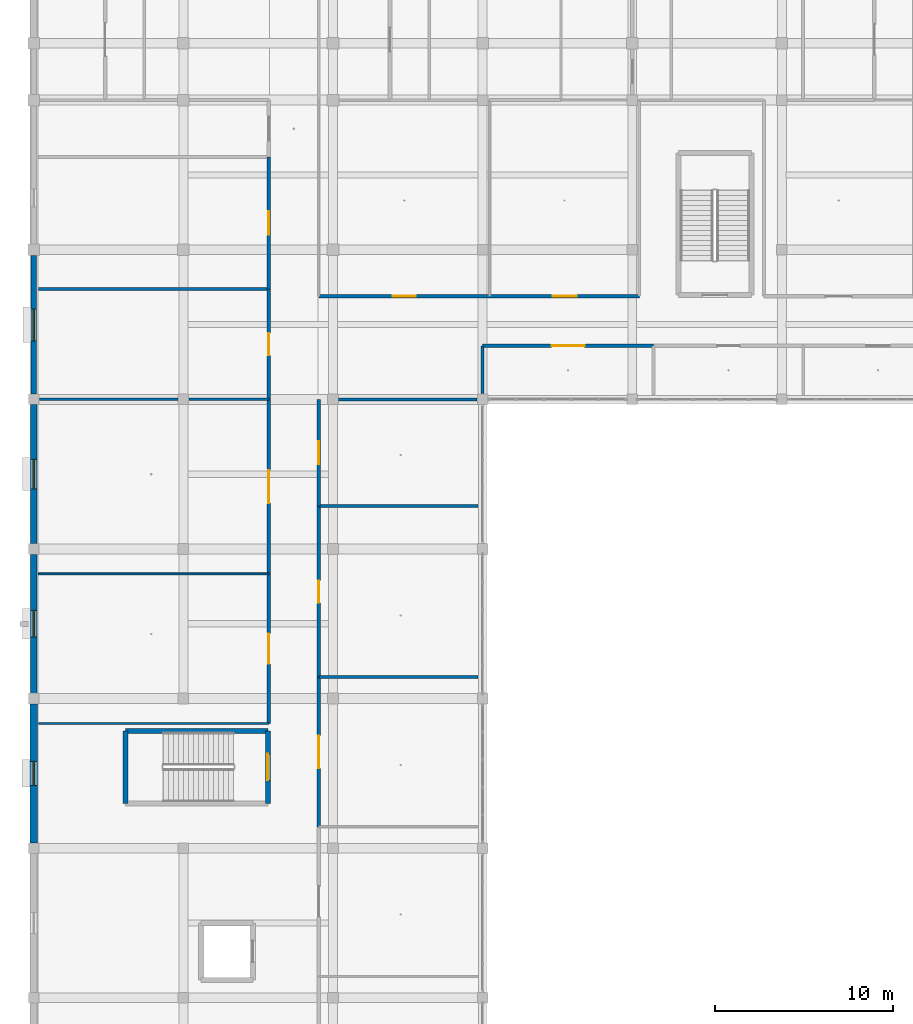
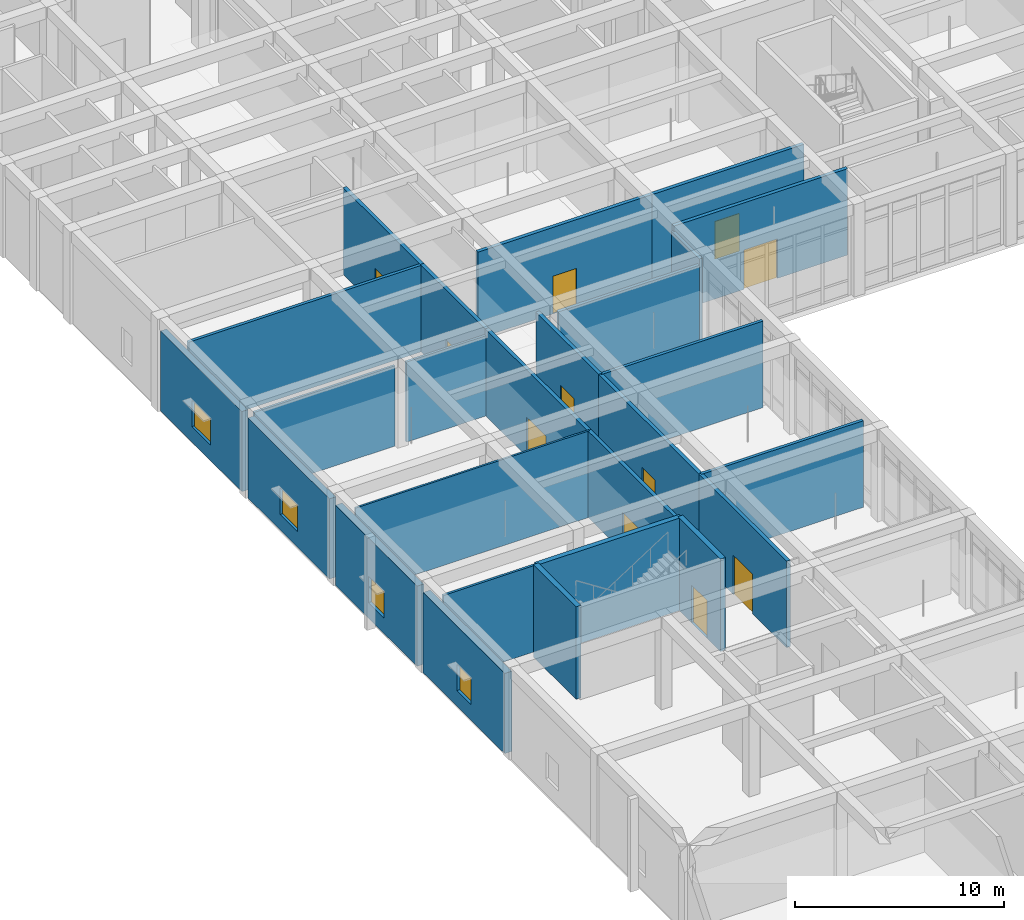
# One storey, part 79 of 157: 26 walls, 11 doors, 4 windows, 15 openings.
"""IFC4 building model written with IfcOpenShell, lengths in metres."""

import ifcopenshell
import ifcopenshell.guid

model = None  # the IFC model being written
_history = None  # IfcOwnerHistory: only IFC2X3 demands one
_inside = {}  # id of a spatial element -> (the spatial element, [elements in it])
_under = {}  # id of a project, library or spatial element -> (it, [spatial elements below it])
_declared = {}  # id of a project -> (the project, [libraries it declares])
_typed = {}  # id of a type object -> (the type object, [elements of that type])
_made_of = {}  # id of a material, layer set ... -> (it, [elements and type objects made of it])


def new_model(schema):
    """Start an empty IFC model of exactly this schema.

    Asked for "IFC4X3", IfcOpenShell would pick the latest addendum, in which some entities
    have other attributes; the version numbers below select the first issue.
    IFC2X3 requires an IfcOwnerHistory on every rooted entity: one is made here for all.
    """
    global model, _history
    if schema == "IFC4X3":
        model = ifcopenshell.file(schema_version=(4, 3, 0, 0))
    else:
        model = ifcopenshell.file(schema=schema)
    _inside.clear()
    _under.clear()
    _declared.clear()
    _typed.clear()
    _made_of.clear()
    _history = None
    if model.schema == "IFC2X3":
        org = make("IfcOrganization", Name="unknown")
        user = make(
            "IfcPersonAndOrganization",
            ThePerson=make("IfcPerson", FamilyName="unknown"),
            TheOrganization=org,
        )
        app = make(
            "IfcApplication",
            ApplicationDeveloper=org,
            Version="unknown",
            ApplicationFullName="unknown",
            ApplicationIdentifier="unknown",
        )
        _history = make(
            "IfcOwnerHistory",
            OwningUser=user,
            OwningApplication=app,
            ChangeAction="ADDED",
            CreationDate=0,
        )
    return model


def make(cls, **values):
    """One entity of the class cls with the attributes given. An attribute that is None is left unset."""
    return model.create_entity(
        cls, **{name: value for name, value in values.items() if value is not None}
    )


def rooted(cls, **values):
    """An entity with a GlobalId (a new one), such as an element, a storey or a relation."""
    return make(cls, GlobalId=ifcopenshell.guid.new(), OwnerHistory=_history, **values)


def si_unit(unit_type, name, prefix=None):
    """IfcSIUnit, for example si_unit("LENGTHUNIT", "METRE", prefix="MILLI")."""
    return make("IfcSIUnit", UnitType=unit_type, Prefix=prefix, Name=name)


def assignment(units):
    """IfcUnitAssignment: the units of a project."""
    return None if units is None else make("IfcUnitAssignment", Units=units)


def point(xyz):
    """IfcCartesianPoint."""
    return None if xyz is None else make("IfcCartesianPoint", Coordinates=xyz)


def direction(xyz):
    """IfcDirection."""
    return None if xyz is None else make("IfcDirection", DirectionRatios=xyz)


def frame(location, z_axis=None, x_axis=None):
    """IfcAxis2Placement3D, a coordinate frame: its origin and axes. An axis left out is left unset."""
    return make(
        "IfcAxis2Placement3D",
        Location=point(location),
        Axis=direction(z_axis),
        RefDirection=direction(x_axis),
    )


def frame_2d(location, x_axis=None):
    """IfcAxis2Placement2D, a coordinate frame in the plane: its origin and x axis."""
    return make(
        "IfcAxis2Placement2D", Location=point(location), RefDirection=direction(x_axis)
    )


def origin():
    """The frame at (0, 0, 0) with its axes left unset."""
    return frame((0.0, 0.0, 0.0))


def place(relative_to, where):
    """IfcLocalPlacement: puts the frame where relative to a parent placement (None: the world)."""
    return make(
        "IfcLocalPlacement", PlacementRelTo=relative_to, RelativePlacement=where
    )


def context(
    kind, dimensions, precision=None, world=None, true_north=None, identifier=None
):
    """IfcGeometricRepresentationContext, for example the 3D "Model" context."""
    return make(
        "IfcGeometricRepresentationContext",
        ContextIdentifier=identifier,
        ContextType=kind,
        CoordinateSpaceDimension=dimensions,
        Precision=precision,
        WorldCoordinateSystem=world,
        TrueNorth=true_north,
    )


def subcontext(parent, identifier, kind, view, scale=None):
    """IfcGeometricRepresentationSubContext, for example "Body" below "Model"."""
    return make(
        "IfcGeometricRepresentationSubContext",
        ContextIdentifier=identifier,
        ContextType=kind,
        ParentContext=parent,
        TargetScale=scale,
        TargetView=view,
    )


def project(units=None, contexts=None):
    """IfcProject with its units and contexts."""
    return rooted(
        "IfcProject",
        Name="project",
        RepresentationContexts=contexts,
        UnitsInContext=assignment(units),
    )


def spatial(cls, under=None, at=None, **own):
    """A site, building, storey or space (cls), placed at a placement, below another one or the project."""
    s = rooted(cls, ObjectPlacement=at, **own)
    if under is not None:
        _under.setdefault(under.id(), (under, []))[1].append(s)
    return s


def profile(cls, at=None, kind="AREA", **sizes):
    """A parametric profile (cls). Its sizes go by their IFC names, for example OverallWidth=200.0."""
    return make(cls, ProfileType=kind, Position=at, **sizes)


def rectangle(**sizes):
    """IfcRectangleProfileDef."""
    return profile("IfcRectangleProfileDef", **sizes)


def extrude(swept, where, along, depth):
    """IfcExtrudedAreaSolid: the profile swept, set in the frame where, extruded along a direction by depth."""
    return make(
        "IfcExtrudedAreaSolid",
        SweptArea=swept,
        Position=where,
        ExtrudedDirection=direction(along),
        Depth=depth,
    )


def shape(context_of_items, identifier, shape_type, items):
    """IfcShapeRepresentation: the items that make up one representation, for example the "Body"."""
    return make(
        "IfcShapeRepresentation",
        ContextOfItems=context_of_items,
        RepresentationIdentifier=identifier,
        RepresentationType=shape_type,
        Items=items,
    )


def material(Name=None, Category=None):
    """IfcMaterial."""
    return make("IfcMaterial", Name=Name, Category=Category)


def layer(
    of_material, thickness, ventilated=None, Name=None, Category=None, Priority=None
):
    """IfcMaterialLayer: one layer of a wall or slab, of a material (None: an air gap)."""
    return make(
        "IfcMaterialLayer",
        Material=of_material,
        LayerThickness=thickness,
        IsVentilated=ventilated,
        Name=Name,
        Category=Category,
        Priority=Priority,
    )


def layer_set(layers, Name=None):
    """IfcMaterialLayerSet."""
    return make("IfcMaterialLayerSet", MaterialLayers=layers, LayerSetName=Name)


def made_of(thing, what):
    """Note that an element or type object is made of a material, layer set ...; save() writes the relation."""
    if what is not None:
        _made_of.setdefault(what.id(), (what, []))[1].append(thing)
    return thing


def type_object(cls, material=None, **own):
    """A type object (cls), such as IfcWallType, which elements share."""
    return made_of(rooted(cls, **own), material)


def element(
    cls,
    number,
    at=None,
    inside=None,
    cuts=None,
    type_object=None,
    material=None,
    context=None,
    identifier="Body",
    shape_type=None,
    held_by="IfcProductDefinitionShape",
    body=None,
    shapes=None,
    **own,
):
    """One element of the class cls, such as IfcWall. Its Tag is "e" and its number.

    at: its placement. inside: the storey or other place that contains it. cuts: it is an
    opening in that element (IfcRelVoidsElement). A single representation is given by context,
    identifier, shape_type and body (its items); several are given by shapes. held_by: the class
    of the entity that holds the representations. save() writes the other relations.
    """
    e = rooted(cls, Tag="e%d" % number, ObjectPlacement=at, **own)
    if body is not None:
        shapes = [shape(context, identifier, shape_type, body)]
    if shapes is not None:
        e.Representation = make(held_by, Representations=shapes)
    if inside is not None:
        _inside.setdefault(inside.id(), (inside, []))[1].append(e)
    if cuts is not None:
        rooted(
            "IfcRelVoidsElement", RelatingBuildingElement=cuts, RelatedOpeningElement=e
        )
    if type_object is not None:
        _typed.setdefault(type_object.id(), (type_object, []))[1].append(e)
    return made_of(e, material)


def fill(opening, filler):
    """IfcRelFillsElement: the door or window that sits in an opening."""
    return rooted(
        "IfcRelFillsElement",
        RelatingOpeningElement=opening,
        RelatedBuildingElement=filler,
    )


def aggregate(whole, parts):
    """IfcRelAggregates: a whole, such as a stair, and the parts it consists of."""
    return rooted("IfcRelAggregates", RelatingObject=whole, RelatedObjects=parts)


def save(model, path):
    """Write the relations noted so far, then the file.

    IfcRelAggregates (storeys below a building ...), IfcRelContainedInSpatialStructure (elements
    in a storey), IfcRelDefinesByType, IfcRelAssociatesMaterial and IfcRelDeclares: one each for
    every whole, place, type object, material and project.
    """
    for whole, parts in _under.values():
        aggregate(whole, parts)
    for where, things in _inside.values():
        rooted(
            "IfcRelContainedInSpatialStructure",
            RelatedElements=things,
            RelatingStructure=where,
        )
    for kind, things in _typed.values():
        rooted("IfcRelDefinesByType", RelatedObjects=things, RelatingType=kind)
    for what, things in _made_of.values():
        rooted("IfcRelAssociatesMaterial", RelatedObjects=things, RelatingMaterial=what)
    for by, libraries in _declared.values():
        rooted("IfcRelDeclares", RelatingContext=by, RelatedDefinitions=libraries)
    model.write(path)


model = new_model("IFC4")

# Units and contexts
model_context = context("Model", 3, precision=1e-05, world=origin(), true_north=direction((0.0, 1.0)))
body_context = subcontext(model_context, "Body", "Model", "MODEL_VIEW")
ifc_project = project(units=[si_unit("LENGTHUNIT", "METRE"), si_unit("AREAUNIT", "SQUARE_METRE"), si_unit("VOLUMEUNIT", "CUBIC_METRE"), si_unit("PLANEANGLEUNIT", "RADIAN"), si_unit("MASSUNIT", "GRAM", prefix="KILO")], contexts=[model_context])

# Site, building, storey
site_placement = place(None, origin())
site = spatial("IfcSite", under=ifc_project, at=site_placement, CompositionType="ELEMENT")
building_placement = place(site_placement, origin())
building = spatial("IfcBuilding", under=site, at=building_placement, Name="Varncliffe General Hospital", CompositionType="ELEMENT")
storey_placement = place(building_placement, frame((0.0, 0.0, 5.39990234375)))
storey = spatial("IfcBuildingStorey", under=building, at=storey_placement, Name="L01", CompositionType="ELEMENT", Elevation=5.39990234375)

# Wall, opening, window
ifc_material_1 = material(Name="Precast concrete C40/50 with insulated cream lime-cement stucco", Category="concrete")
ifc_layer_1 = layer(ifc_material_1, 0.3798828125)
ifc_layer_set_1 = layer_set([ifc_layer_1], Name="Precast concrete C40/50 with insulated cream lime-cement stucco")
wall_type_1 = type_object("IfcWallType", Name="Exterior Insulated Stucco Wall EW26 (380mm)", PredefinedType="SOLIDWALL", material=ifc_layer_set_1)
wall_1_placement = place(storey_placement, frame((0.0, 66.298095703125, 0.0), z_axis=(0.0, 0.0, 1.0), x_axis=(0.0, 1.0, 0.0)))
wall_1 = element("IfcWall", 1, at=wall_1_placement, inside=storey, type_object=wall_type_1, Name="L01 Exterior Stucco Wall EW26-105", PredefinedType="SOLIDWALL", context=body_context, shape_type="SweptSolid", body=[
    extrude(rectangle(XDim=7.803955078125, YDim=0.3798828125, at=frame_2d((3.90185546875, 0.0))), origin(), (0.0, 0.0, 1.0), 4.68017578125),
])
opening_1_placement = place(wall_1_placement, frame((3.152099609375, 0.0, 0.89990234375)))
opening_1 = element("IfcOpeningElement", 2, at=opening_1_placement, cuts=wall_1, Name="Opening WN75", PredefinedType="OPENING", context=body_context, shape_type="SweptSolid", body=[
    extrude(rectangle(XDim=1.5, YDim=1.550048828125, at=frame_2d((0.75, 0.77490234375))), frame((0.0, 0.199951171875, 0.0), z_axis=(0.0, -1.0, 0.0), x_axis=(1.0, 0.0, 0.0)), (0.0, 0.0, 1.0), 0.39990234375),
])
ifc_material_2 = material(Name="Triple low-E argon insulated vision glazing", Category="glass")
window_type_1 = type_object("IfcWindowType", Name="Triple-Glazed Hospital Window WN75 (1500x1550)", PartitioningType="SINGLE_PANEL", PredefinedType="WINDOW", material=ifc_material_2)
window_1_placement = place(opening_1_placement, origin())
window_1 = element("IfcWindow", 3, at=window_1_placement, inside=storey, type_object=window_type_1, Name="L01 Hospital Window WN75-56", OverallHeight=1.550048828125, OverallWidth=1.5, PartitioningType="SINGLE_PANEL", PredefinedType="WINDOW", context=body_context, shape_type="SweptSolid", body=[
    extrude(rectangle(XDim=1.5, YDim=1.550048828125, at=frame_2d((0.75, 0.77490234375))), frame((0.0, 0.030029296875, 0.0), z_axis=(0.0, -1.0, 0.0), x_axis=(1.0, 0.0, 0.0)), (0.0, 0.0, 1.0), 0.06005859375),
])
fill(opening_1, window_1)

ifc_layer_2 = layer(ifc_material_1, 0.330078125)
ifc_layer_set_2 = layer_set([ifc_layer_2], Name="Precast concrete C40/50 with insulated cream lime-cement stucco")
wall_type_2 = type_object("IfcWallType", Name="Exterior Insulated Stucco Wall EW33 (330mm)", PredefinedType="SOLIDWALL", material=ifc_layer_set_2)
wall_2_placement = place(storey_placement, frame((0.0, 83.097900390625, 0.0), z_axis=(0.0, 0.0, 1.0), x_axis=(0.0, 1.0, 0.0)))
wall_2 = element("IfcWall", 4, at=wall_2_placement, inside=storey, type_object=wall_type_2, Name="L01 Exterior Stucco Wall EW33-107", PredefinedType="SOLIDWALL", context=body_context, shape_type="SweptSolid", body=[
    extrude(rectangle(XDim=7.779052734375, YDim=0.330078125, at=frame_2d((3.8896484375, 0.0))), origin(), (0.0, 0.0, 1.0), 4.68017578125),
])
opening_2_placement = place(wall_2_placement, frame((2.989501953125, 0.0, 0.89990234375)))
opening_2 = element("IfcOpeningElement", 5, at=opening_2_placement, cuts=wall_2, Name="Opening WN52", PredefinedType="OPENING", context=body_context, shape_type="SweptSolid", body=[
    extrude(rectangle(XDim=1.800048828125, YDim=1.550048828125, at=frame_2d((0.89990234375, 0.77490234375))), frame((0.0, 0.175048828125, 0.0), z_axis=(0.0, -1.0, 0.0), x_axis=(1.0, 0.0, 0.0)), (0.0, 0.0, 1.0), 0.35009765625),
])
window_type_2 = type_object("IfcWindowType", Name="Triple-Glazed Hospital Window WN52 (1800x1550)", PartitioningType="DOUBLE_PANEL_VERTICAL", PredefinedType="WINDOW", material=ifc_material_2)
window_2_placement = place(opening_2_placement, origin())
window_2 = element("IfcWindow", 6, at=window_2_placement, inside=storey, type_object=window_type_2, Name="L01 Hospital Window WN52-58", OverallHeight=1.550048828125, OverallWidth=1.800048828125, PartitioningType="DOUBLE_PANEL_VERTICAL", PredefinedType="WINDOW", context=body_context, shape_type="SweptSolid", body=[
    extrude(rectangle(XDim=1.800048828125, YDim=1.550048828125, at=frame_2d((0.89990234375, 0.77490234375))), frame((0.0, 0.030029296875, 0.0), z_axis=(0.0, -1.0, 0.0), x_axis=(1.0, 0.0, 0.0)), (0.0, 0.0, 1.0), 0.06005859375),
])
fill(opening_2, window_2)

ifc_layer_3 = layer(ifc_material_1, 0.35009765625)
ifc_layer_set_3 = layer_set([ifc_layer_3], Name="Precast concrete C40/50 with insulated cream lime-cement stucco")
wall_type_3 = type_object("IfcWallType", Name="Exterior Insulated Stucco Wall EW37 (350mm)", PredefinedType="SOLIDWALL", material=ifc_layer_set_3)
wall_3_placement = place(storey_placement, frame((0.0, 74.697998046875, 0.0), z_axis=(0.0, 0.0, 1.0), x_axis=(0.0, 1.0, 0.0)))
wall_3 = element("IfcWall", 7, at=wall_3_placement, inside=storey, type_object=wall_type_3, Name="L01 Exterior Stucco Wall EW37-106", PredefinedType="SOLIDWALL", context=body_context, shape_type="SweptSolid", body=[
    extrude(rectangle(XDim=7.803955078125, YDim=0.35009765625, at=frame_2d((3.90185546875, 0.0))), origin(), (0.0, 0.0, 1.0), 4.68017578125),
])
opening_3_placement = place(wall_3_placement, frame((3.076904296875, 0.0, 0.89990234375)))
opening_3 = element("IfcOpeningElement", 8, at=opening_3_placement, cuts=wall_3, Name="Opening WN20", PredefinedType="OPENING", context=body_context, shape_type="SweptSolid", body=[
    extrude(rectangle(XDim=1.64990234375, YDim=1.550048828125, at=frame_2d((0.824951171875, 0.77490234375))), frame((0.0, 0.18505859375, 0.0), z_axis=(0.0, -1.0, 0.0), x_axis=(1.0, 0.0, 0.0)), (0.0, 0.0, 1.0), 0.3701171875),
])
window_type_3 = type_object("IfcWindowType", Name="Triple-Glazed Hospital Window WN20 (1650x1550)", PartitioningType="DOUBLE_PANEL_VERTICAL", PredefinedType="WINDOW", material=ifc_material_2)
window_3_placement = place(opening_3_placement, origin())
window_3 = element("IfcWindow", 9, at=window_3_placement, inside=storey, type_object=window_type_3, Name="L01 Hospital Window WN20-57", OverallHeight=1.550048828125, OverallWidth=1.64990234375, PartitioningType="DOUBLE_PANEL_VERTICAL", PredefinedType="WINDOW", context=body_context, shape_type="SweptSolid", body=[
    extrude(rectangle(XDim=1.64990234375, YDim=1.550048828125, at=frame_2d((0.824951171875, 0.77490234375))), frame((0.0, 0.030029296875, 0.0), z_axis=(0.0, -1.0, 0.0), x_axis=(1.0, 0.0, 0.0)), (0.0, 0.0, 1.0), 0.06005859375),
])
fill(opening_3, window_3)

ifc_layer_4 = layer(ifc_material_1, 0.39990234375)
ifc_layer_set_4 = layer_set([ifc_layer_4], Name="Precast concrete C40/50 with insulated cream lime-cement stucco")
wall_type_4 = type_object("IfcWallType", Name="Exterior Insulated Stucco Wall EW47 (400mm)", PredefinedType="SOLIDWALL", material=ifc_layer_set_4)
wall_4_placement = place(storey_placement, frame((0.0, 57.89794921875, 0.0), z_axis=(0.0, 0.0, 1.0), x_axis=(0.0, 1.0, 0.0)))
wall_4 = element("IfcWall", 10, at=wall_4_placement, inside=storey, type_object=wall_type_4, Name="L01 Exterior Stucco Wall EW47-104", PredefinedType="SOLIDWALL", context=body_context, shape_type="SweptSolid", body=[
    extrude(rectangle(XDim=7.803955078125, YDim=0.39990234375, at=frame_2d((3.90185546875, 0.0))), origin(), (0.0, 0.0, 1.0), 4.68017578125),
])
opening_4_placement = place(wall_4_placement, frame((3.22705078125, 0.0, 0.89990234375)))
opening_4 = element("IfcOpeningElement", 11, at=opening_4_placement, cuts=wall_4, Name="Opening WN24", PredefinedType="OPENING", context=body_context, shape_type="SweptSolid", body=[
    extrude(rectangle(XDim=1.35009765625, YDim=1.550048828125, at=frame_2d((0.675048828125, 0.77490234375))), frame((0.0, 0.2099609375, 0.0), z_axis=(0.0, -1.0, 0.0), x_axis=(1.0, 0.0, 0.0)), (0.0, 0.0, 1.0), 0.419921875),
])
window_type_4 = type_object("IfcWindowType", Name="Triple-Glazed Hospital Window WN24 (1350x1550)", PartitioningType="SINGLE_PANEL", PredefinedType="WINDOW", material=ifc_material_2)
window_4_placement = place(opening_4_placement, origin())
window_4 = element("IfcWindow", 12, at=window_4_placement, inside=storey, type_object=window_type_4, Name="L01 Hospital Window WN24-55", OverallHeight=1.550048828125, OverallWidth=1.35009765625, PartitioningType="SINGLE_PANEL", PredefinedType="WINDOW", context=body_context, shape_type="SweptSolid", body=[
    extrude(rectangle(XDim=1.35009765625, YDim=1.550048828125, at=frame_2d((0.675048828125, 0.77490234375))), frame((0.0, 0.030029296875, 0.0), z_axis=(0.0, -1.0, 0.0), x_axis=(1.0, 0.0, 0.0)), (0.0, 0.0, 1.0), 0.06005859375),
])
fill(opening_4, window_4)

# Walls
ifc_material_3 = material(Name="Acoustic clinical gypsum stud partition assembly", Category="gypsum")
ifc_layer_5 = layer(ifc_material_3, 0.1298828125)
ifc_layer_set_5 = layer_set([ifc_layer_5], Name="Acoustic clinical gypsum stud partition assembly")
wall_type_5 = type_object("IfcWallType", Name="Interior Partitioning IW11 (130mm)", PredefinedType="PARTITIONING", material=ifc_layer_set_5)
wall_5_placement = place(storey_placement, frame((0.260009765625, 64.60009765625, 0.0), z_axis=(0.0, 0.0, 1.0), x_axis=(1.0, 0.0, 0.0)))
element("IfcWall", 13, at=wall_5_placement, inside=storey, type_object=wall_type_5, Name="L01 Interior Partition Wall IW11-478", PredefinedType="PARTITIONING", context=body_context, shape_type="SweptSolid", body=[
    extrude(rectangle(XDim=12.93994140625, YDim=0.1298828125, at=frame_2d((6.469970703125, 0.0))), origin(), (0.0, 0.0, 1.0), 5.050048828125),
])
wall_6_placement = place(storey_placement, frame((0.31494140625, 82.800048828125, 0.0), z_axis=(0.0, 0.0, 1.0), x_axis=(1.0, 0.0, 0.0)))
element("IfcWall", 14, at=wall_6_placement, inside=storey, type_object=wall_type_5, Name="L01 Interior Partition Wall IW11-503", PredefinedType="PARTITIONING", context=body_context, shape_type="SweptSolid", body=[
    extrude(rectangle(XDim=7.77001953125, YDim=0.1298828125, at=frame_2d((3.885009765625, 0.0))), origin(), (0.0, 0.0, 1.0), 4.68505859375),
])
wall_7_placement = place(storey_placement, frame((8.715087890625, 82.800048828125, 0.0), z_axis=(0.0, 0.0, 1.0), x_axis=(1.0, 0.0, 0.0)))
element("IfcWall", 15, at=wall_7_placement, inside=storey, type_object=wall_type_5, Name="L01 Interior Partition Wall IW11-504", PredefinedType="PARTITIONING", context=body_context, shape_type="SweptSolid", body=[
    extrude(rectangle(XDim=4.48486328125, YDim=0.1298828125, at=frame_2d((2.242431640625, 0.0))), origin(), (0.0, 0.0, 1.0), 4.68505859375),
])
ifc_layer_6 = layer(ifc_material_3, 0.169921875)
ifc_layer_set_6 = layer_set([ifc_layer_6], Name="Acoustic clinical gypsum stud partition assembly")
wall_type_6 = type_object("IfcWallType", Name="Interior Partitioning IW20 (170mm)", PredefinedType="PARTITIONING", material=ifc_layer_set_6)
for number, where, z_axis, x_axis, name in (
    (16, (16.0, 67.199951171875, 0.0), (0.0, 0.0, 1.0), (1.0, 0.0, 0.0), "L01 Interior Partition Wall IW20-480"),
    (17, (16.0, 76.800048828125, 0.0), (0.0, 0.0, 1.0), (1.0, 0.0, 0.0), "L01 Interior Partition Wall IW20-500"),
):
    element("IfcWall", number, at=place(storey_placement, frame(where, z_axis=z_axis, x_axis=x_axis)), inside=storey, type_object=wall_type_6, Name=name, PredefinedType="PARTITIONING", context=body_context, shape_type="SweptSolid", body=[
        extrude(rectangle(XDim=8.93994140625, YDim=0.169921875, at=frame_2d((4.469970703125, 0.0))), origin(), (0.0, 0.0, 1.0), 5.050048828125),
    ])
wall_8_placement = place(storey_placement, frame((17.114990234375, 82.800048828125, 0.0), z_axis=(0.0, 0.0, 1.0), x_axis=(1.0, 0.0, 0.0)))
element("IfcWall", 18, at=wall_8_placement, inside=storey, type_object=wall_type_6, Name="L01 Interior Partition Wall IW20-505", PredefinedType="PARTITIONING", context=body_context, shape_type="SweptSolid", body=[
    extrude(rectangle(XDim=7.77001953125, YDim=0.169921875, at=frame_2d((3.885009765625, 0.0))), origin(), (0.0, 0.0, 1.0), 4.68505859375),
])
wall_9_placement = place(storey_placement, frame((0.260009765625, 89.0, 0.0), z_axis=(0.0, 0.0, 1.0), x_axis=(1.0, 0.0, 0.0)))
element("IfcWall", 19, at=wall_9_placement, inside=storey, type_object=wall_type_6, Name="L01 Interior Partition Wall IW20-540", PredefinedType="PARTITIONING", context=body_context, shape_type="SweptSolid", body=[
    extrude(rectangle(XDim=12.93994140625, YDim=0.169921875, at=frame_2d((6.469970703125, 0.0))), origin(), (0.0, 0.0, 1.0), 5.050048828125),
])
wall_10_placement = place(storey_placement, frame((25.199951171875, 83.114990234375, 0.0), z_axis=(0.0, 0.0, 1.0), x_axis=(0.0, 1.0, 0.0)))
element("IfcWall", 20, at=wall_10_placement, inside=storey, type_object=wall_type_6, Name="L01 Interior Partition Wall IW20-705", PredefinedType="PARTITIONING", context=body_context, shape_type="SweptSolid", body=[
    extrude(rectangle(XDim=2.68505859375, YDim=0.169921875, at=frame_2d((1.342529296875, 0.0))), origin(), (0.0, 0.0, 1.0), 4.735107421875),
])
ifc_layer_7 = layer(ifc_material_3, 0.110107421875)
ifc_layer_set_7 = layer_set([ifc_layer_7], Name="Acoustic clinical gypsum stud partition assembly")
wall_type_7 = type_object("IfcWallType", Name="Interior Partitioning IW65 (110mm)", PredefinedType="PARTITIONING", material=ifc_layer_set_7)
wall_11_placement = place(storey_placement, frame((0.260009765625, 73.0, 0.0), z_axis=(0.0, 0.0, 1.0), x_axis=(1.0, 0.0, 0.0)))
element("IfcWall", 21, at=wall_11_placement, inside=storey, type_object=wall_type_7, Name="L01 Interior Partition Wall IW65-482", PredefinedType="PARTITIONING", context=body_context, shape_type="SweptSolid", body=[
    extrude(rectangle(XDim=12.93994140625, YDim=0.110107421875, at=frame_2d((6.469970703125, 0.0))), origin(), (0.0, 0.0, 1.0), 5.050048828125),
])

# Wall, opening, door
ifc_material_4 = material(Name="Fire-rated gypsum and mineral-wool partition assembly", Category="gypsum")
ifc_layer_8 = layer(ifc_material_4, 0.199951171875)
ifc_layer_set_8 = layer_set([ifc_layer_8], Name="Fire-rated gypsum and mineral-wool partition assembly")
wall_type_8 = type_object("IfcWallType", Name="Interior Partitioning PW63 (200mm)", PredefinedType="PARTITIONING", material=ifc_layer_set_8)
wall_12_placement = place(storey_placement, frame((25.199951171875, 85.800048828125, 0.0), z_axis=(0.0, 0.0, 1.0), x_axis=(1.0, 0.0, 0.0)))
wall_12 = element("IfcWall", 22, at=wall_12_placement, inside=storey, type_object=wall_type_8, Name="L01 Interior Partition Wall PW63-509", PredefinedType="PARTITIONING", context=body_context, shape_type="SweptSolid", body=[
    extrude(rectangle(XDim=9.60009765625, YDim=0.199951171875, at=frame_2d((4.800048828125, 0.0))), origin(), (0.0, 0.0, 1.0), 5.050048828125),
])
opening_5_placement = place(wall_12_placement, frame((3.875, 0.0, 0.0)))
opening_5 = element("IfcOpeningElement", 23, at=opening_5_placement, cuts=wall_12, Name="Opening DC38", PredefinedType="OPENING", context=body_context, shape_type="SweptSolid", body=[
    extrude(rectangle(XDim=1.85009765625, YDim=2.300048828125, at=frame_2d((0.925048828125, 1.14990234375))), frame((0.0, 0.10986328125, 0.0), z_axis=(0.0, -1.0, 0.0), x_axis=(1.0, 0.0, 0.0)), (0.0, 0.0, 1.0), 0.219970703125),
])
ifc_material_5 = material(Name="Fire-rated hospital steel-frame vision-panel door", Category="steel")
door_type_1 = type_object("IfcDoorType", Name="Interior Hospital Door DC38 (1850x2300)", OperationType="NOTDEFINED", PredefinedType="DOOR", material=ifc_material_5)
door_1_placement = place(opening_5_placement, frame((1.85009765625, 0.0, 0.0), z_axis=(0.0, 0.0, 1.0), x_axis=(-1.0, 0.0, 0.0)))
door_1 = element("IfcDoor", 24, at=door_1_placement, inside=storey, type_object=door_type_1, Name="L01 Clinical Pathology Laboratory 69 Door", OperationType="SINGLE_SWING_LEFT", OverallHeight=2.300048828125, OverallWidth=1.85009765625, PredefinedType="DOOR", context=body_context, shape_type="SweptSolid", body=[
    extrude(rectangle(XDim=1.85009765625, YDim=2.300048828125, at=frame_2d((0.925048828125, 1.14990234375))), frame((0.0, 0.02490234375, 0.0), z_axis=(0.0, -1.0, 0.0), x_axis=(1.0, 0.0, 0.0)), (0.0, 0.0, 1.0), 0.050048828125),
])
fill(opening_5, door_1)

wall_13_placement = place(storey_placement, frame((16.0, 88.60009765625, 0.0), z_axis=(0.0, 0.0, 1.0), x_axis=(1.0, 0.0, 0.0)))
wall_13 = element("IfcWall", 25, at=wall_13_placement, inside=storey, type_object=wall_type_8, Name="L01 Interior Partition Wall PW63-527", PredefinedType="PARTITIONING", context=body_context, shape_type="SweptSolid", body=[
    extrude(rectangle(XDim=9.60009765625, YDim=0.199951171875, at=frame_2d((4.800048828125, 0.0))), origin(), (0.0, 0.0, 1.0), 5.050048828125),
])
opening_6_placement = place(wall_13_placement, frame((4.14990234375, 0.0, 0.0)))
opening_6 = element("IfcOpeningElement", 26, at=opening_6_placement, cuts=wall_13, Name="Opening DC88", PredefinedType="OPENING", context=body_context, shape_type="SweptSolid", body=[
    extrude(rectangle(XDim=1.300048828125, YDim=2.199951171875, at=frame_2d((0.64990234375, 1.10009765625))), frame((0.0, 0.10986328125, 0.0), z_axis=(0.0, -1.0, 0.0), x_axis=(1.0, 0.0, 0.0)), (0.0, 0.0, 1.0), 0.219970703125),
])
door_type_2 = type_object("IfcDoorType", Name="Interior Hospital Door DC88 (1300x2200)", OperationType="NOTDEFINED", PredefinedType="DOOR", material=ifc_material_5)
door_2_placement = place(opening_6_placement, origin())
door_2 = element("IfcDoor", 27, at=door_2_placement, inside=storey, type_object=door_type_2, Name="L01 Clinical Pathology Laboratory 73 Door", OperationType="SINGLE_SWING_LEFT", OverallHeight=2.199951171875, OverallWidth=1.300048828125, PredefinedType="DOOR", context=body_context, shape_type="SweptSolid", body=[
    extrude(rectangle(XDim=1.300048828125, YDim=2.199951171875, at=frame_2d((0.64990234375, 1.10009765625))), frame((0.0, 0.02490234375, 0.0), z_axis=(0.0, -1.0, 0.0), x_axis=(1.0, 0.0, 0.0)), (0.0, 0.0, 1.0), 0.050048828125),
])
fill(opening_6, door_2)

wall_14_placement = place(storey_placement, frame((25.60009765625, 88.60009765625, 0.0), z_axis=(0.0, 0.0, 1.0), x_axis=(1.0, 0.0, 0.0)))
wall_14 = element("IfcWall", 28, at=wall_14_placement, inside=storey, type_object=wall_type_8, Name="L01 Interior Partition Wall PW63-528", PredefinedType="PARTITIONING", context=body_context, shape_type="SweptSolid", body=[
    extrude(rectangle(XDim=8.39990234375, YDim=0.199951171875, at=frame_2d((4.199951171875, 0.0))), origin(), (0.0, 0.0, 1.0), 5.050048828125),
])
opening_7_placement = place(wall_14_placement, frame((3.52490234375, 0.0, 0.0)))
opening_7 = element("IfcOpeningElement", 29, at=opening_7_placement, cuts=wall_14, Name="Opening DC85", PredefinedType="OPENING", context=body_context, shape_type="SweptSolid", body=[
    extrude(rectangle(XDim=1.35009765625, YDim=2.199951171875, at=frame_2d((0.675048828125, 1.10009765625))), frame((0.0, 0.10986328125, 0.0), z_axis=(0.0, -1.0, 0.0), x_axis=(1.0, 0.0, 0.0)), (0.0, 0.0, 1.0), 0.219970703125),
])
door_type_3 = type_object("IfcDoorType", Name="Interior Hospital Door DC85 (1350x2200)", OperationType="NOTDEFINED", PredefinedType="DOOR", material=ifc_material_5)
door_3_placement = place(opening_7_placement, origin())
door_3 = element("IfcDoor", 30, at=door_3_placement, inside=storey, type_object=door_type_3, Name="L01 Transfusion Blood Bank Laboratory 74 Door", OperationType="SINGLE_SWING_RIGHT", OverallHeight=2.199951171875, OverallWidth=1.35009765625, PredefinedType="DOOR", context=body_context, shape_type="SweptSolid", body=[
    extrude(rectangle(XDim=1.35009765625, YDim=2.199951171875, at=frame_2d((0.675048828125, 1.10009765625))), frame((0.0, 0.02490234375, 0.0), z_axis=(0.0, -1.0, 0.0), x_axis=(1.0, 0.0, 0.0)), (0.0, 0.0, 1.0), 0.050048828125),
])
fill(opening_7, door_3)

wall_15_placement = place(storey_placement, frame((13.199951171875, 64.60009765625, 0.0), z_axis=(0.0, 0.0, 1.0), x_axis=(0.0, 1.0, 0.0)))
wall_15 = element("IfcWall", 31, at=wall_15_placement, inside=storey, type_object=wall_type_8, Name="L01 Interior Partition Wall PW63-680", PredefinedType="PARTITIONING", context=body_context, shape_type="SweptSolid", body=[
    extrude(rectangle(XDim=8.39990234375, YDim=0.199951171875, at=frame_2d((4.199951171875, 0.0))), origin(), (0.0, 0.0, 1.0), 5.050048828125),
])
opening_8_placement = place(wall_15_placement, frame((3.35009765625, 0.0, 0.0)))
opening_8 = element("IfcOpeningElement", 32, at=opening_8_placement, cuts=wall_15, Name="Opening DC50", PredefinedType="OPENING", context=body_context, shape_type="SweptSolid", body=[
    extrude(rectangle(XDim=1.699951171875, YDim=2.300048828125, at=frame_2d((0.85009765625, 1.14990234375))), frame((0.0, 0.10986328125, 0.0), z_axis=(0.0, -1.0, 0.0), x_axis=(1.0, 0.0, 0.0)), (0.0, 0.0, 1.0), 0.219970703125),
])
door_type_4 = type_object("IfcDoorType", Name="Interior Hospital Door DC50 (1700x2300)", OperationType="NOTDEFINED", PredefinedType="DOOR", material=ifc_material_5)
door_4_placement = place(opening_8_placement, origin())
door_4 = element("IfcDoor", 33, at=door_4_placement, inside=storey, type_object=door_type_4, Name="L01 Clinical Microbiology Laboratory 62 Door", OperationType="SINGLE_SWING_RIGHT", OverallHeight=2.300048828125, OverallWidth=1.699951171875, PredefinedType="DOOR", context=body_context, shape_type="SweptSolid", body=[
    extrude(rectangle(XDim=1.699951171875, YDim=2.300048828125, at=frame_2d((0.85009765625, 1.14990234375))), frame((0.0, 0.02490234375, 0.0), z_axis=(0.0, -1.0, 0.0), x_axis=(1.0, 0.0, 0.0)), (0.0, 0.0, 1.0), 0.050048828125),
])
fill(opening_8, door_4)

wall_16_placement = place(storey_placement, frame((13.199951171875, 73.0, 0.0), z_axis=(0.0, 0.0, 1.0), x_axis=(0.0, 1.0, 0.0)))
wall_16 = element("IfcWall", 34, at=wall_16_placement, inside=storey, type_object=wall_type_8, Name="L01 Interior Partition Wall PW63-681", PredefinedType="PARTITIONING", context=body_context, shape_type="SweptSolid", body=[
    extrude(rectangle(XDim=9.800048828125, YDim=0.199951171875, at=frame_2d((4.89990234375, 0.0))), origin(), (0.0, 0.0, 1.0), 5.050048828125),
])
opening_9_placement = place(wall_16_placement, frame((3.97509765625, 0.0, 0.0)))
opening_9 = element("IfcOpeningElement", 35, at=opening_9_placement, cuts=wall_16, Name="Opening DC38", PredefinedType="OPENING", context=body_context, shape_type="SweptSolid", body=[
    extrude(rectangle(XDim=1.85009765625, YDim=2.300048828125, at=frame_2d((0.925048828125, 1.14990234375))), frame((0.0, 0.10986328125, 0.0), z_axis=(0.0, -1.0, 0.0), x_axis=(1.0, 0.0, 0.0)), (0.0, 0.0, 1.0), 0.219970703125),
])
door_5_placement = place(opening_9_placement, origin())
door_5 = element("IfcDoor", 36, at=door_5_placement, inside=storey, type_object=door_type_1, Name="L01 Clinical Pathology Laboratory 63 Door", OperationType="SINGLE_SWING_LEFT", OverallHeight=2.300048828125, OverallWidth=1.85009765625, PredefinedType="DOOR", context=body_context, shape_type="SweptSolid", body=[
    extrude(rectangle(XDim=1.85009765625, YDim=2.300048828125, at=frame_2d((0.925048828125, 1.14990234375))), frame((0.0, 0.02490234375, 0.0), z_axis=(0.0, -1.0, 0.0), x_axis=(1.0, 0.0, 0.0)), (0.0, 0.0, 1.0), 0.050048828125),
])
fill(opening_9, door_5)

wall_17_placement = place(storey_placement, frame((13.199951171875, 82.800048828125, 0.0), z_axis=(0.0, 0.0, 1.0), x_axis=(0.0, 1.0, 0.0)))
wall_17 = element("IfcWall", 37, at=wall_17_placement, inside=storey, type_object=wall_type_8, Name="L01 Interior Partition Wall PW63-682", PredefinedType="PARTITIONING", context=body_context, shape_type="SweptSolid", body=[
    extrude(rectangle(XDim=6.199951171875, YDim=0.199951171875, at=frame_2d((3.10009765625, 0.0))), origin(), (0.0, 0.0, 1.0), 5.050048828125),
])
opening_10_placement = place(wall_17_placement, frame((2.47509765625, 0.0, 0.0)))
opening_10 = element("IfcOpeningElement", 38, at=opening_10_placement, cuts=wall_17, Name="Opening DC44", PredefinedType="OPENING", context=body_context, shape_type="SweptSolid", body=[
    extrude(rectangle(XDim=1.25, YDim=2.14990234375, at=frame_2d((0.625, 1.074951171875))), frame((0.0, 0.10986328125, 0.0), z_axis=(0.0, -1.0, 0.0), x_axis=(1.0, 0.0, 0.0)), (0.0, 0.0, 1.0), 0.219970703125),
])
door_type_5 = type_object("IfcDoorType", Name="Interior Hospital Door DC44 (1250x2150)", OperationType="NOTDEFINED", PredefinedType="DOOR", material=ifc_material_5)
door_6_placement = place(opening_10_placement, origin())
door_6 = element("IfcDoor", 39, at=door_6_placement, inside=storey, type_object=door_type_5, Name="L01 General Medical Inpatient Room 180 Door", OperationType="SINGLE_SWING_RIGHT", OverallHeight=2.14990234375, OverallWidth=1.25, PredefinedType="DOOR", context=body_context, shape_type="SweptSolid", body=[
    extrude(rectangle(XDim=1.25, YDim=2.14990234375, at=frame_2d((0.625, 1.074951171875))), frame((0.0, 0.02490234375, 0.0), z_axis=(0.0, -1.0, 0.0), x_axis=(1.0, 0.0, 0.0)), (0.0, 0.0, 1.0), 0.050048828125),
])
fill(opening_10, door_6)

wall_18_placement = place(storey_placement, frame((13.199951171875, 89.0, 0.0), z_axis=(0.0, 0.0, 1.0), x_axis=(0.0, 1.0, 0.0)))
wall_18 = element("IfcWall", 40, at=wall_18_placement, inside=storey, type_object=wall_type_8, Name="L01 Interior Partition Wall PW63-683", PredefinedType="PARTITIONING", context=body_context, shape_type="SweptSolid", body=[
    extrude(rectangle(XDim=7.39990234375, YDim=0.199951171875, at=frame_2d((3.699951171875, 0.0))), origin(), (0.0, 0.0, 1.0), 5.050048828125),
])
opening_11_placement = place(wall_18_placement, frame((3.050048828125, 0.0, 0.0)))
opening_11 = element("IfcOpeningElement", 41, at=opening_11_placement, cuts=wall_18, Name="Opening DC88", PredefinedType="OPENING", context=body_context, shape_type="SweptSolid", body=[
    extrude(rectangle(XDim=1.300048828125, YDim=2.199951171875, at=frame_2d((0.64990234375, 1.10009765625))), frame((0.0, 0.10986328125, 0.0), z_axis=(0.0, -1.0, 0.0), x_axis=(1.0, 0.0, 0.0)), (0.0, 0.0, 1.0), 0.219970703125),
])
door_7_placement = place(opening_11_placement, origin())
door_7 = element("IfcDoor", 42, at=door_7_placement, inside=storey, type_object=door_type_2, Name="L01 Ward Nurse Station and Medication Room 181 Door", OperationType="SINGLE_SWING_LEFT", OverallHeight=2.199951171875, OverallWidth=1.300048828125, PredefinedType="DOOR", context=body_context, shape_type="SweptSolid", body=[
    extrude(rectangle(XDim=1.300048828125, YDim=2.199951171875, at=frame_2d((0.64990234375, 1.10009765625))), frame((0.0, 0.02490234375, 0.0), z_axis=(0.0, -1.0, 0.0), x_axis=(1.0, 0.0, 0.0)), (0.0, 0.0, 1.0), 0.050048828125),
])
fill(opening_11, door_7)

wall_19_placement = place(storey_placement, frame((16.0, 58.800048828125, 0.0), z_axis=(0.0, 0.0, 1.0), x_axis=(0.0, 1.0, 0.0)))
wall_19 = element("IfcWall", 43, at=wall_19_placement, inside=storey, type_object=wall_type_8, Name="L01 Interior Partition Wall PW63-689", PredefinedType="PARTITIONING", context=body_context, shape_type="SweptSolid", body=[
    extrude(rectangle(XDim=8.39990234375, YDim=0.199951171875, at=frame_2d((4.199951171875, 0.0))), origin(), (0.0, 0.0, 1.0), 5.050048828125),
])
opening_12_placement = place(wall_19_placement, frame((3.27490234375, 0.0, 0.0)))
opening_12 = element("IfcOpeningElement", 44, at=opening_12_placement, cuts=wall_19, Name="Opening DC38", PredefinedType="OPENING", context=body_context, shape_type="SweptSolid", body=[
    extrude(rectangle(XDim=1.85009765625, YDim=2.300048828125, at=frame_2d((0.925048828125, 1.14990234375))), frame((0.0, 0.10986328125, 0.0), z_axis=(0.0, -1.0, 0.0), x_axis=(1.0, 0.0, 0.0)), (0.0, 0.0, 1.0), 0.219970703125),
])
door_8_placement = place(opening_12_placement, frame((1.85009765625, 0.0, 0.0), z_axis=(0.0, 0.0, 1.0), x_axis=(-1.0, 0.0, 0.0)))
door_8 = element("IfcDoor", 45, at=door_8_placement, inside=storey, type_object=door_type_1, Name="L01 Clinical Microbiology Laboratory 66 Door", OperationType="SINGLE_SWING_RIGHT", OverallHeight=2.300048828125, OverallWidth=1.85009765625, PredefinedType="DOOR", context=body_context, shape_type="SweptSolid", body=[
    extrude(rectangle(XDim=1.85009765625, YDim=2.300048828125, at=frame_2d((0.925048828125, 1.14990234375))), frame((0.0, 0.02490234375, 0.0), z_axis=(0.0, -1.0, 0.0), x_axis=(1.0, 0.0, 0.0)), (0.0, 0.0, 1.0), 0.050048828125),
])
fill(opening_12, door_8)

wall_20_placement = place(storey_placement, frame((16.0, 67.199951171875, 0.0), z_axis=(0.0, 0.0, 1.0), x_axis=(0.0, 1.0, 0.0)))
wall_20 = element("IfcWall", 46, at=wall_20_placement, inside=storey, type_object=wall_type_8, Name="L01 Interior Partition Wall PW63-690", PredefinedType="PARTITIONING", context=body_context, shape_type="SweptSolid", body=[
    extrude(rectangle(XDim=9.60009765625, YDim=0.199951171875, at=frame_2d((4.800048828125, 0.0))), origin(), (0.0, 0.0, 1.0), 5.050048828125),
])
opening_13_placement = place(wall_20_placement, frame((4.175048828125, 0.0, 0.0)))
opening_13 = element("IfcOpeningElement", 47, at=opening_13_placement, cuts=wall_20, Name="Opening DC44", PredefinedType="OPENING", context=body_context, shape_type="SweptSolid", body=[
    extrude(rectangle(XDim=1.25, YDim=2.14990234375, at=frame_2d((0.625, 1.074951171875))), frame((0.0, 0.10986328125, 0.0), z_axis=(0.0, -1.0, 0.0), x_axis=(1.0, 0.0, 0.0)), (0.0, 0.0, 1.0), 0.219970703125),
])
door_9_placement = place(opening_13_placement, frame((1.25, 0.0, 0.0), z_axis=(0.0, 0.0, 1.0), x_axis=(-1.0, 0.0, 0.0)))
door_9 = element("IfcDoor", 48, at=door_9_placement, inside=storey, type_object=door_type_5, Name="L01 Clinical Pathology Laboratory 67 Door", OperationType="SINGLE_SWING_LEFT", OverallHeight=2.14990234375, OverallWidth=1.25, PredefinedType="DOOR", context=body_context, shape_type="SweptSolid", body=[
    extrude(rectangle(XDim=1.25, YDim=2.14990234375, at=frame_2d((0.625, 1.074951171875))), frame((0.0, 0.02490234375, 0.0), z_axis=(0.0, -1.0, 0.0), x_axis=(1.0, 0.0, 0.0)), (0.0, 0.0, 1.0), 0.050048828125),
])
fill(opening_13, door_9)

wall_21_placement = place(storey_placement, frame((16.0, 76.800048828125, 0.0), z_axis=(0.0, 0.0, 1.0), x_axis=(0.0, 1.0, 0.0)))
wall_21 = element("IfcWall", 49, at=wall_21_placement, inside=storey, type_object=wall_type_8, Name="L01 Interior Partition Wall PW63-691", PredefinedType="PARTITIONING", context=body_context, shape_type="SweptSolid", body=[
    extrude(rectangle(XDim=6.0, YDim=0.199951171875, at=frame_2d((3.0, 0.0))), origin(), (0.0, 0.0, 1.0), 5.050048828125),
])
opening_14_placement = place(wall_21_placement, frame((2.35009765625, 0.0, 0.0)))
opening_14 = element("IfcOpeningElement", 50, at=opening_14_placement, cuts=wall_21, Name="Opening DC88", PredefinedType="OPENING", context=body_context, shape_type="SweptSolid", body=[
    extrude(rectangle(XDim=1.300048828125, YDim=2.199951171875, at=frame_2d((0.64990234375, 1.10009765625))), frame((0.0, 0.10986328125, 0.0), z_axis=(0.0, -1.0, 0.0), x_axis=(1.0, 0.0, 0.0)), (0.0, 0.0, 1.0), 0.219970703125),
])
door_10_placement = place(opening_14_placement, frame((1.300048828125, 0.0, 0.0), z_axis=(0.0, 0.0, 1.0), x_axis=(-1.0, 0.0, 0.0)))
door_10 = element("IfcDoor", 51, at=door_10_placement, inside=storey, type_object=door_type_2, Name="L01 Transfusion Blood Bank Laboratory 68 Door", OperationType="SINGLE_SWING_RIGHT", OverallHeight=2.199951171875, OverallWidth=1.300048828125, PredefinedType="DOOR", context=body_context, shape_type="SweptSolid", body=[
    extrude(rectangle(XDim=1.300048828125, YDim=2.199951171875, at=frame_2d((0.64990234375, 1.10009765625))), frame((0.0, 0.02490234375, 0.0), z_axis=(0.0, -1.0, 0.0), x_axis=(1.0, 0.0, 0.0)), (0.0, 0.0, 1.0), 0.050048828125),
])
fill(opening_14, door_10)

# Walls
ifc_material_6 = material(Name="Concrete C40/50 (CSA A23.1 40 MPa)", Category="concrete")
ifc_layer_9 = layer(ifc_material_6, 0.280029296875)
ifc_layer_set_9 = layer_set([ifc_layer_9], Name="Concrete C40/50 (CSA A23.1 40 MPa)")
wall_type_9 = type_object("IfcWallType", Name="Reinforced Concrete Core Shear Wall CW13 (280mm)", PredefinedType="SHEAR", material=ifc_layer_set_9)
wall_22_placement = place(storey_placement, frame((13.139892578125, 64.18994140625, 0.0), z_axis=(0.0, 0.0, 1.0), x_axis=(-1.0, 0.0, 0.0)))
element("IfcWall", 52, at=wall_22_placement, inside=storey, type_object=wall_type_9, Name="L01 ST05 Core Shear Wall L", PredefinedType="SHEAR", context=body_context, shape_type="SweptSolid", body=[
    extrude(rectangle(XDim=7.97998046875, YDim=0.280029296875, at=frame_2d((3.989990234375, 0.0))), origin(), (0.0, 0.0, 1.0), 5.400146484375),
])
wall_23_placement = place(storey_placement, frame((5.159912109375, 64.18994140625, 0.0), z_axis=(0.0, 0.0, 1.0), x_axis=(0.0, -1.0, 0.0)))
element("IfcWall", 53, at=wall_23_placement, inside=storey, type_object=wall_type_9, Name="L01 ST05 Core Shear Wall F", PredefinedType="SHEAR", context=body_context, shape_type="SweptSolid", body=[
    extrude(rectangle(XDim=4.079833984375, YDim=0.280029296875, at=frame_2d((2.0400390625, 0.0))), origin(), (0.0, 0.0, 1.0), 5.400146484375),
])

# Wall, opening, door
wall_24_placement = place(storey_placement, frame((13.139892578125, 60.110107421875, 0.0), z_axis=(0.0, 0.0, 1.0), x_axis=(0.0, 1.0, 0.0)))
wall_24 = element("IfcWall", 54, at=wall_24_placement, inside=storey, type_object=wall_type_9, Name="L01 ST05 Core Shear Wall N", PredefinedType="SHEAR", context=body_context, shape_type="SweptSolid", body=[
    extrude(rectangle(XDim=4.079833984375, YDim=0.280029296875, at=frame_2d((2.0400390625, 0.0))), origin(), (0.0, 0.0, 1.0), 5.400146484375),
])
opening_15_placement = place(wall_24_placement, frame((1.2900390625, 0.0, 0.0)))
opening_15 = element("IfcOpeningElement", 55, at=opening_15_placement, cuts=wall_24, Name="Opening DF28", PredefinedType="OPENING", context=body_context, shape_type="SweptSolid", body=[
    extrude(rectangle(XDim=1.5, YDim=2.199951171875, at=frame_2d((0.75, 1.10009765625))), frame((0.0, 0.14990234375, 0.0), z_axis=(0.0, -1.0, 0.0), x_axis=(1.0, 0.0, 0.0)), (0.0, 0.0, 1.0), 0.300048828125),
])
door_type_6 = type_object("IfcDoorType", Name="Interior Hospital Door DF28 (1500x2200)", OperationType="NOTDEFINED", PredefinedType="DOOR", material=ifc_material_5)
door_11_placement = place(opening_15_placement, frame((1.5, 0.0, 0.0), z_axis=(0.0, 0.0, 1.0), x_axis=(-1.0, 0.0, 0.0)))
door_11 = element("IfcDoor", 56, at=door_11_placement, inside=storey, type_object=door_type_6, Name="L01 ST05 Protected Exit Stair Door", OperationType="SINGLE_SWING_LEFT", OverallHeight=2.199951171875, OverallWidth=1.5, PredefinedType="DOOR", context=body_context, shape_type="SweptSolid", body=[
    extrude(rectangle(XDim=1.5, YDim=2.199951171875, at=frame_2d((0.75, 1.10009765625))), frame((0.0, 0.02490234375, 0.0), z_axis=(0.0, -1.0, 0.0), x_axis=(1.0, 0.0, 0.0)), (0.0, 0.0, 1.0), 0.050048828125),
])
fill(opening_15, door_11)

save(model, "model.ifc")
